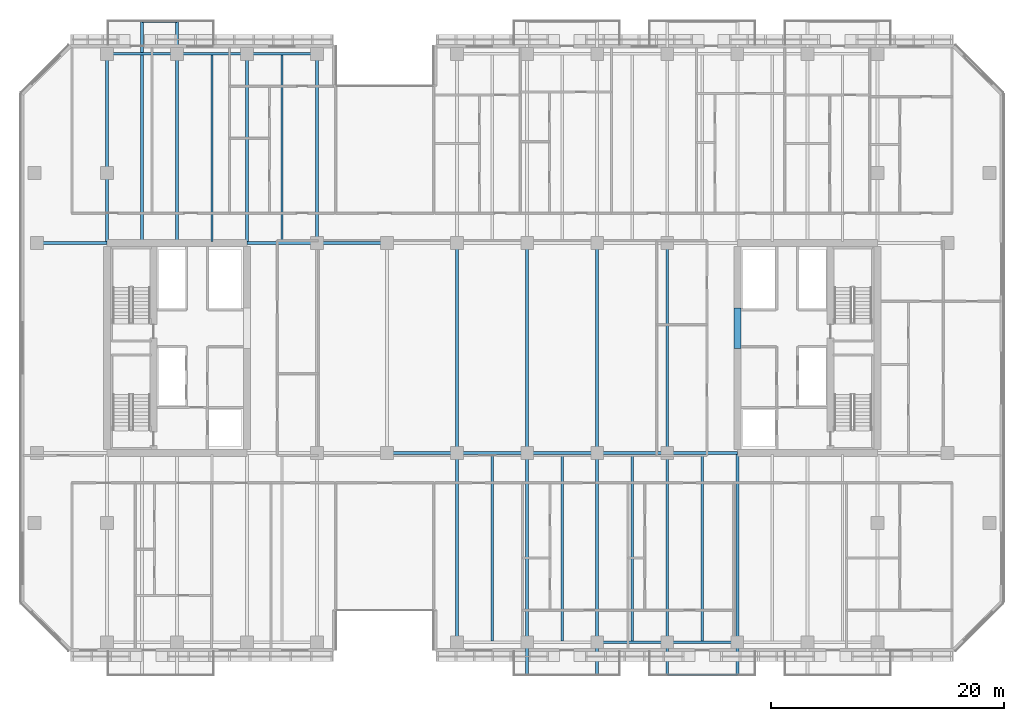
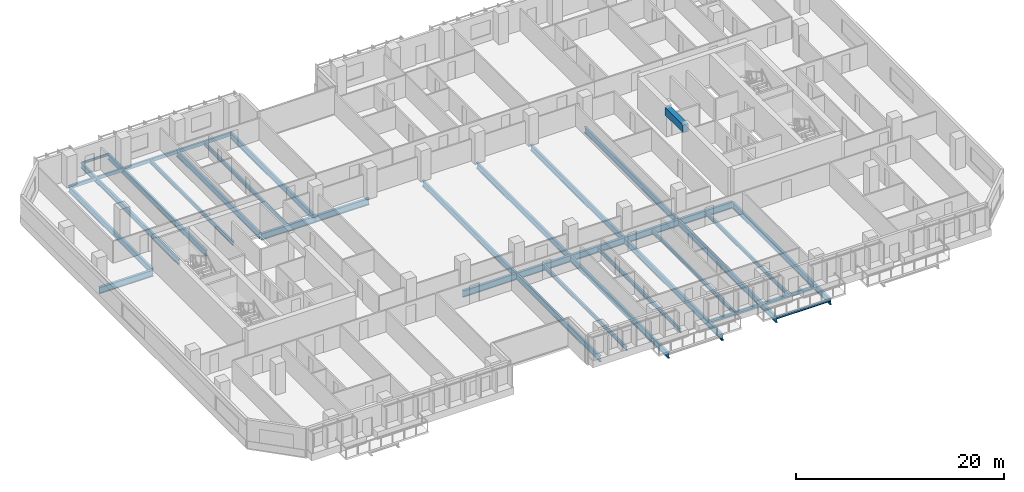
# One storey, part 5 of 25: 36 beams.
"""IFC4 building model written with IfcOpenShell, lengths in metres."""

from ifc_helpers import new_model, si_unit, direction, frame, origin, origin_2d, place, context, subcontext, project, spatial, rectangle, hollow_rectangle, i_section, extrude, material, material_profile, profile_set, type_object, element, save


model = new_model("IFC4")

# Units and contexts
model_context = context("Model", 3, precision=1e-05, world=origin(), true_north=direction((0.0, 1.0)))
body_context = subcontext(model_context, "Body", "Model", "MODEL_VIEW")
ifc_project = project(units=[si_unit("LENGTHUNIT", "METRE"), si_unit("AREAUNIT", "SQUARE_METRE"), si_unit("VOLUMEUNIT", "CUBIC_METRE"), si_unit("PLANEANGLEUNIT", "RADIAN"), si_unit("MASSUNIT", "GRAM", prefix="KILO")], contexts=[model_context])

# Site, building, storey
site_placement = place(None, origin())
site = spatial("IfcSite", under=ifc_project, at=site_placement, CompositionType="ELEMENT")
building_placement = place(site_placement, origin())
building = spatial("IfcBuilding", under=site, at=building_placement, Name="Tanjung Sevakor Pilgrim Tower", CompositionType="ELEMENT")
storey_placement = place(building_placement, frame((0.0, 0.0, 69.6298828125)))
storey = spatial("IfcBuildingStorey", under=building, at=storey_placement, Name="L19", CompositionType="ELEMENT", Elevation=69.6298828125)

# Beams
ifc_material_1 = material(Name="Steel S355J2", Category="steel")
ifc_material_profile_1 = material_profile(ifc_material_1, i_section(OverallWidth=0.26806640625, OverallDepth=0.769775390625, WebThickness=0.015625, FlangeThickness=0.025390625, FilletRadius=0.0166015625, at=origin_2d()))
ifc_profile_set_1 = profile_set([ifc_material_profile_1], Name="Steel S355J2")
beam_type_1 = type_object("IfcBeamType", Name="BM-B-G1-UB_762x267x197", PredefinedType="BEAM", material=ifc_profile_set_1)
for number, where, z_axis, x_axis, name in (
    (1, (48.0, 24.60009765625, -0.604736328125), (1.0, 0.0, 0.0), (0.0, 1.0, 0.0), "L19 Primary Floor Girder MAIN Y246-04"),
    (2, (54.0, 24.60009765625, -0.604736328125), (1.0, 0.0, 0.0), (0.0, 1.0, 0.0), "L19 Primary Floor Girder MAIN Y246-05"),
    (3, (60.0, 24.60009765625, -0.604736328125), (1.0, 0.0, 0.0), (0.0, 1.0, 0.0), "L19 Primary Floor Girder MAIN Y246-06"),
    (4, (66.0, 24.60009765625, -0.604736328125), (1.0, 0.0, 0.0), (0.0, 1.0, 0.0), "L19 Primary Floor Girder MAIN Y246-07"),
    (5, (72.0, 24.60009765625, -0.604736328125), (1.0, 0.0, 0.0), (0.0, 1.0, 0.0), "L19 Primary Floor Girder MAIN Y246-08"),
    (6, (18.0, 42.60009765625, -0.604736328125), (1.0, 0.0, 0.0), (0.0, 1.0, 0.0), "L19 Primary Floor Girder MAIN Y426-01"),
    (7, (36.0, 42.60009765625, -0.604736328125), (1.0, 0.0, 0.0), (0.0, 1.0, 0.0), "L19 Primary Floor Girder MAIN Y426-02"),
    (8, (42.0, 42.60009765625, -0.604736328125), (1.0, 0.0, 0.0), (0.0, 1.0, 0.0), "L19 Primary Floor Girder MAIN Y426-03"),
):
    element("IfcBeam", number, at=place(storey_placement, frame(where, z_axis=z_axis, x_axis=x_axis)), inside=storey, type_object=beam_type_1, Name=name, PredefinedType="BEAM", context=body_context, shape_type="SweptSolid", body=[
        extrude(i_section(OverallWidth=0.26806640625, OverallDepth=0.769775390625, WebThickness=0.015625, FlangeThickness=0.025390625, FilletRadius=0.0166015625, at=origin_2d()), origin(), (0.0, 0.0, 1.0), 6.0),
    ])
ifc_material_2 = material(Name="Steel S355J2", Category="steel")
ifc_material_profile_2 = material_profile(ifc_material_2, i_section(OverallWidth=0.25439453125, OverallDepth=0.6875, WebThickness=0.01318359375, FlangeThickness=0.02099609375, FilletRadius=0.01513671875, at=origin_2d()))
ifc_profile_set_2 = profile_set([ifc_material_profile_2], Name="Steel S355J2")
beam_type_2 = type_object("IfcBeamType", Name="BM-B-G2-UB_686x254x152", PredefinedType="BEAM", material=ifc_profile_set_2)
beam_1_placement = place(storey_placement, frame((24.0, 42.73388671875, -0.563720703125), z_axis=(0.0, 1.0, 0.0), x_axis=(-1.0, 0.0, 0.0)))
element("IfcBeam", 9, at=beam_1_placement, inside=storey, type_object=beam_type_2, Name="L19 MAIN Girder 002", PredefinedType="BEAM", context=body_context, shape_type="SweptSolid", body=[
    extrude(i_section(OverallWidth=0.25439453125, OverallDepth=0.6875, WebThickness=0.01318359375, FlangeThickness=0.02099609375, FilletRadius=0.01513671875, at=origin_2d()), origin(), (0.0, 0.0, 1.0), 16.066162109375),
])
beam_2_placement = place(storey_placement, frame((30.0, 42.73388671875, -0.563720703125), z_axis=(0.0, 1.0, 0.0), x_axis=(-1.0, 0.0, 0.0)))
element("IfcBeam", 10, at=beam_2_placement, inside=storey, type_object=beam_type_2, Name="L19 Balcony Cantilever Beam MAIN-N1-2", PredefinedType="BEAM", context=body_context, shape_type="SweptSolid", body=[
    extrude(i_section(OverallWidth=0.25439453125, OverallDepth=0.6875, WebThickness=0.01318359375, FlangeThickness=0.02099609375, FilletRadius=0.01513671875, at=origin_2d()), origin(), (0.0, 0.0, 1.0), 18.84619140625),
])
beam_3_placement = place(storey_placement, frame((36.0, 42.73388671875, -0.563720703125), z_axis=(0.0, 1.0, 0.0), x_axis=(-1.0, 0.0, 0.0)))
element("IfcBeam", 11, at=beam_3_placement, inside=storey, type_object=beam_type_2, Name="L19 MAIN Girder 006", PredefinedType="BEAM", context=body_context, shape_type="SweptSolid", body=[
    extrude(i_section(OverallWidth=0.25439453125, OverallDepth=0.6875, WebThickness=0.01318359375, FlangeThickness=0.02099609375, FilletRadius=0.01513671875, at=origin_2d()), origin(), (0.0, 0.0, 1.0), 16.066162109375),
])
beam_4_placement = place(storey_placement, frame((42.0, 42.60009765625, -0.563720703125), z_axis=(0.0, 1.0, 0.0), x_axis=(-1.0, 0.0, 0.0)))
element("IfcBeam", 12, at=beam_4_placement, inside=storey, type_object=beam_type_2, Name="L19 MAIN Girder 011", PredefinedType="BEAM", context=body_context, shape_type="SweptSolid", body=[
    extrude(i_section(OverallWidth=0.25439453125, OverallDepth=0.6875, WebThickness=0.01318359375, FlangeThickness=0.02099609375, FilletRadius=0.01513671875, at=origin_2d()), origin(), (0.0, 0.0, 1.0), 16.199951171875),
])
beam_5_placement = place(storey_placement, frame((54.0, 8.39990234375, -0.563720703125), z_axis=(0.0, 1.0, 0.0), x_axis=(-1.0, 0.0, 0.0)))
element("IfcBeam", 13, at=beam_5_placement, inside=storey, type_object=beam_type_2, Name="L19 MAIN Girder 013", PredefinedType="BEAM", context=body_context, shape_type="SweptSolid", body=[
    extrude(i_section(OverallWidth=0.25439453125, OverallDepth=0.6875, WebThickness=0.01318359375, FlangeThickness=0.02099609375, FilletRadius=0.01513671875, at=origin_2d()), origin(), (0.0, 0.0, 1.0), 16.2001953125),
])
beam_6_placement = place(storey_placement, frame((54.0, 24.60009765625, -0.563720703125), z_axis=(0.0, 1.0, 0.0), x_axis=(-1.0, 0.0, 0.0)))
element("IfcBeam", 14, at=beam_6_placement, inside=storey, type_object=beam_type_2, Name="L19 MAIN Girder 014", PredefinedType="BEAM", context=body_context, shape_type="SweptSolid", body=[
    extrude(i_section(OverallWidth=0.25439453125, OverallDepth=0.6875, WebThickness=0.01318359375, FlangeThickness=0.02099609375, FilletRadius=0.01513671875, at=origin_2d()), origin(), (0.0, 0.0, 1.0), 18.0),
])
beam_7_placement = place(storey_placement, frame((60.0, 24.60009765625, -0.563720703125), z_axis=(0.0, -1.0, 0.0), x_axis=(1.0, 0.0, 0.0)))
element("IfcBeam", 15, at=beam_7_placement, inside=storey, type_object=beam_type_2, Name="L19 Balcony Cantilever Beam MAIN-S2-1", PredefinedType="BEAM", context=body_context, shape_type="SweptSolid", body=[
    extrude(i_section(OverallWidth=0.25439453125, OverallDepth=0.6875, WebThickness=0.01318359375, FlangeThickness=0.02099609375, FilletRadius=0.01513671875, at=origin_2d()), origin(), (0.0, 0.0, 1.0), 18.97998046875),
])
beam_8_placement = place(storey_placement, frame((60.0, 24.60009765625, -0.563720703125), z_axis=(0.0, 1.0, 0.0), x_axis=(-1.0, 0.0, 0.0)))
element("IfcBeam", 16, at=beam_8_placement, inside=storey, type_object=beam_type_2, Name="L19 MAIN Girder 018", PredefinedType="BEAM", context=body_context, shape_type="SweptSolid", body=[
    extrude(i_section(OverallWidth=0.25439453125, OverallDepth=0.6875, WebThickness=0.01318359375, FlangeThickness=0.02099609375, FilletRadius=0.01513671875, at=origin_2d()), origin(), (0.0, 0.0, 1.0), 18.0),
])
beam_9_placement = place(storey_placement, frame((66.0, 24.60009765625, -0.563720703125), z_axis=(0.0, -1.0, 0.0), x_axis=(1.0, 0.0, 0.0)))
element("IfcBeam", 17, at=beam_9_placement, inside=storey, type_object=beam_type_2, Name="L19 Balcony Cantilever Beam MAIN-S2-2", PredefinedType="BEAM", context=body_context, shape_type="SweptSolid", body=[
    extrude(i_section(OverallWidth=0.25439453125, OverallDepth=0.6875, WebThickness=0.01318359375, FlangeThickness=0.02099609375, FilletRadius=0.01513671875, at=origin_2d()), origin(), (0.0, 0.0, 1.0), 18.97998046875),
])
beam_10_placement = place(storey_placement, frame((66.0, 24.60009765625, -0.563720703125), z_axis=(0.0, 1.0, 0.0), x_axis=(-1.0, 0.0, 0.0)))
element("IfcBeam", 18, at=beam_10_placement, inside=storey, type_object=beam_type_2, Name="L19 MAIN Girder 021", PredefinedType="BEAM", context=body_context, shape_type="SweptSolid", body=[
    extrude(i_section(OverallWidth=0.25439453125, OverallDepth=0.6875, WebThickness=0.01318359375, FlangeThickness=0.02099609375, FilletRadius=0.01513671875, at=origin_2d()), origin(), (0.0, 0.0, 1.0), 18.0),
])
beam_11_placement = place(storey_placement, frame((72.0, 24.60009765625, -0.563720703125), z_axis=(0.0, -1.0, 0.0), x_axis=(1.0, 0.0, 0.0)))
element("IfcBeam", 19, at=beam_11_placement, inside=storey, type_object=beam_type_2, Name="L19 Balcony Cantilever Beam MAIN-S3-1", PredefinedType="BEAM", context=body_context, shape_type="SweptSolid", body=[
    extrude(i_section(OverallWidth=0.25439453125, OverallDepth=0.6875, WebThickness=0.01318359375, FlangeThickness=0.02099609375, FilletRadius=0.01513671875, at=origin_2d()), origin(), (0.0, 0.0, 1.0), 18.97998046875),
])
beam_12_placement = place(storey_placement, frame((72.0, 24.60009765625, -0.563720703125), z_axis=(0.0, 1.0, 0.0), x_axis=(-1.0, 0.0, 0.0)))
element("IfcBeam", 20, at=beam_12_placement, inside=storey, type_object=beam_type_2, Name="L19 MAIN Girder 024", PredefinedType="BEAM", context=body_context, shape_type="SweptSolid", body=[
    extrude(i_section(OverallWidth=0.25439453125, OverallDepth=0.6875, WebThickness=0.01318359375, FlangeThickness=0.02099609375, FilletRadius=0.01513671875, at=origin_2d()), origin(), (0.0, 0.0, 1.0), 18.0),
])
beam_13_placement = place(storey_placement, frame((78.0, 24.466064453125, -0.563720703125), z_axis=(0.0, -1.0, 0.0), x_axis=(1.0, 0.0, 0.0)))
element("IfcBeam", 21, at=beam_13_placement, inside=storey, type_object=beam_type_2, Name="L19 Balcony Cantilever Beam MAIN-S3-2", PredefinedType="BEAM", context=body_context, shape_type="SweptSolid", body=[
    extrude(i_section(OverallWidth=0.25439453125, OverallDepth=0.6875, WebThickness=0.01318359375, FlangeThickness=0.02099609375, FilletRadius=0.01513671875, at=origin_2d()), origin(), (0.0, 0.0, 1.0), 18.845947265625),
])
ifc_material_3 = material(Name="Steel S355J2", Category="steel")
ifc_material_profile_3 = material_profile(ifc_material_3, i_section(OverallWidth=0.22900390625, OverallDepth=0.6123046875, WebThickness=0.011962890625, FlangeThickness=0.01953125, FilletRadius=0.0126953125, at=origin_2d()))
ifc_profile_set_3 = profile_set([ifc_material_profile_3], Name="Steel S355J2")
beam_type_3 = type_object("IfcBeamType", Name="BM-B-G4-UB_610x229x125", PredefinedType="BEAM", material=ifc_profile_set_3)
beam_14_placement = place(storey_placement, frame((27.0, 42.73388671875, -0.52587890625), z_axis=(0.0, 1.0, 0.0), x_axis=(-1.0, 0.0, 0.0)))
element("IfcBeam", 22, at=beam_14_placement, inside=storey, type_object=beam_type_3, Name="L19 Balcony Cantilever Beam MAIN-N1-1", PredefinedType="BEAM", context=body_context, shape_type="SweptSolid", body=[
    extrude(i_section(OverallWidth=0.22900390625, OverallDepth=0.6123046875, WebThickness=0.011962890625, FlangeThickness=0.01953125, FilletRadius=0.0126953125, at=origin_2d()), origin(), (0.0, 0.0, 1.0), 18.84619140625),
])
ifc_material_4 = material(Name="Steel S355J2", Category="steel")
ifc_material_profile_4 = material_profile(ifc_material_4, i_section(OverallWidth=0.19140625, OverallDepth=0.4599609375, WebThickness=0.010009765625, FlangeThickness=0.01611328125, FilletRadius=0.01025390625, at=origin_2d()))
ifc_profile_set_4 = profile_set([ifc_material_profile_4], Name="Steel S355J2")
beam_type_4 = type_object("IfcBeamType", Name="BM-B-J2-UB_457x191x82", PredefinedType="JOIST", material=ifc_profile_set_4)
for number, where, z_axis, x_axis, name in (
    (23, (33.0, 42.73388671875, -0.449951171875), (0.0, 1.0, 0.0), (-1.0, 0.0, 0.0), "L19 MAIN Joist 004"),
    (24, (39.0, 42.73388671875, -0.449951171875), (0.0, 1.0, 0.0), (-1.0, 0.0, 0.0), "L19 MAIN Joist 008"),
    (25, (57.0, 8.5, -0.449951171875), (0.0, 1.0, 0.0), (-1.0, 0.0, 0.0), "L19 MAIN Joist 016"),
    (26, (63.0, 8.5, -0.449951171875), (0.0, 1.0, 0.0), (-1.0, 0.0, 0.0), "L19 MAIN Joist 019"),
    (27, (69.0, 8.5, -0.449951171875), (0.0, 1.0, 0.0), (-1.0, 0.0, 0.0), "L19 MAIN Joist 022"),
    (28, (75.0, 8.5, -0.449951171875), (0.0, 1.0, 0.0), (-1.0, 0.0, 0.0), "L19 MAIN Joist 025"),
):
    element("IfcBeam", number, at=place(storey_placement, frame(where, z_axis=z_axis, x_axis=x_axis)), inside=storey, type_object=beam_type_4, Name=name, PredefinedType="JOIST", context=body_context, shape_type="SweptSolid", body=[
        extrude(i_section(OverallWidth=0.19140625, OverallDepth=0.4599609375, WebThickness=0.010009765625, FlangeThickness=0.01611328125, FilletRadius=0.01025390625, at=origin_2d()), origin(), (0.0, 0.0, 1.0), 15.966064453125),
    ])
ifc_material_5 = material(Name="Steel S355J2", Category="steel")
ifc_material_profile_5 = material_profile(ifc_material_5, i_section(OverallWidth=0.146484375, OverallDepth=0.256103515625, WebThickness=0.00634765625, FlangeThickness=0.010986328125, FilletRadius=0.007568359375, at=origin_2d()))
ifc_profile_set_5 = profile_set([ifc_material_profile_5], Name="Steel S355J2")
beam_type_5 = type_object("IfcBeamType", Name="BM-B-J6-UB_254x146x37", PredefinedType="JOIST", material=ifc_profile_set_5)
beam_15_placement = place(storey_placement, frame((27.0, 61.580078125, -0.327880859375), z_axis=(1.0, 0.0, 0.0), x_axis=(0.0, 1.0, 0.0)))
element("IfcBeam", 29, at=beam_15_placement, inside=storey, type_object=beam_type_5, Name="L19 Balcony Rim Tie MAIN-N1", PredefinedType="JOIST", context=body_context, shape_type="SweptSolid", body=[
    extrude(i_section(OverallWidth=0.146484375, OverallDepth=0.256103515625, WebThickness=0.00634765625, FlangeThickness=0.010986328125, FilletRadius=0.007568359375, at=origin_2d()), origin(), (0.0, 0.0, 1.0), 3.0),
])
beam_16_placement = place(storey_placement, frame((72.0, 5.6201171875, -0.327880859375), z_axis=(1.0, 0.0, 0.0), x_axis=(0.0, 1.0, 0.0)))
element("IfcBeam", 30, at=beam_16_placement, inside=storey, type_object=beam_type_5, Name="L19 Balcony Rim Tie MAIN-S3", PredefinedType="JOIST", context=body_context, shape_type="SweptSolid", body=[
    extrude(i_section(OverallWidth=0.146484375, OverallDepth=0.256103515625, WebThickness=0.00634765625, FlangeThickness=0.010986328125, FilletRadius=0.007568359375, at=origin_2d()), origin(), (0.0, 0.0, 1.0), 6.0),
])
ifc_material_6 = material(Name="Concrete C60/75", Category="concrete")
ifc_material_profile_6 = material_profile(ifc_material_6, rectangle(XDim=0.60009765625, YDim=0.89990234375, at=origin_2d()))
ifc_profile_set_6 = profile_set([ifc_material_profile_6], Name="Concrete C60/75")
beam_type_6 = type_object("IfcBeamType", Name="BM-B-LN1-RC-BM_600x900", PredefinedType="LINTEL", material=ifc_profile_set_6)
beam_17_placement = place(storey_placement, frame((78.0, 33.550048828125, 2.900146484375), z_axis=(0.0, 1.0, 0.0), x_axis=(-1.0, 0.0, 0.0)))
element("IfcBeam", 31, at=beam_17_placement, inside=storey, type_object=beam_type_6, Name="L19 E Core Coupling Lintel", PredefinedType="LINTEL", context=body_context, shape_type="SweptSolid", body=[
    extrude(rectangle(XDim=0.60009765625, YDim=0.89990234375, at=origin_2d()), origin(), (0.0, 0.0, 1.0), 3.5),
])
ifc_material_7 = material(Name="Steel S355J2", Category="steel")
ifc_material_profile_7 = material_profile(ifc_material_7, hollow_rectangle(XDim=0.199951171875, YDim=0.39990234375, WallThickness=0.01611328125, at=origin_2d()))
ifc_profile_set_7 = profile_set([ifc_material_profile_7], Name="Steel S355J2")
beam_type_7 = type_object("IfcBeamType", Name="BM-B-SP2-RHS_400x200x16", PredefinedType="SPANDREL", material=ifc_profile_set_7)
for number, where, z_axis, x_axis, name in (
    (32, (24.0, 58.800048828125, -0.419921875), (1.0, 0.0, 0.0), (0.0, 1.0, 0.0), "L19 Spandrel MAIN N-02"),
    (33, (30.0, 58.800048828125, -0.419921875), (1.0, 0.0, 0.0), (0.0, 1.0, 0.0), "L19 Spandrel MAIN N-04"),
    (34, (36.0, 58.800048828125, -0.419921875), (1.0, 0.0, 0.0), (0.0, 1.0, 0.0), "L19 Spandrel MAIN N-06"),
    (35, (66.0, 8.39990234375, -0.419921875), (1.0, 0.0, 0.0), (0.0, 1.0, 0.0), "L19 Spandrel MAIN S-11"),
    (36, (72.0, 8.39990234375, -0.419921875), (1.0, 0.0, 0.0), (0.0, 1.0, 0.0), "L19 Spandrel MAIN S-13"),
):
    element("IfcBeam", number, at=place(storey_placement, frame(where, z_axis=z_axis, x_axis=x_axis)), inside=storey, type_object=beam_type_7, Name=name, PredefinedType="SPANDREL", context=body_context, shape_type="SweptSolid", body=[
        extrude(hollow_rectangle(XDim=0.199951171875, YDim=0.39990234375, WallThickness=0.01611328125, at=origin_2d()), origin(), (0.0, 0.0, 1.0), 6.0),
    ])

save(model, "model.ifc")
